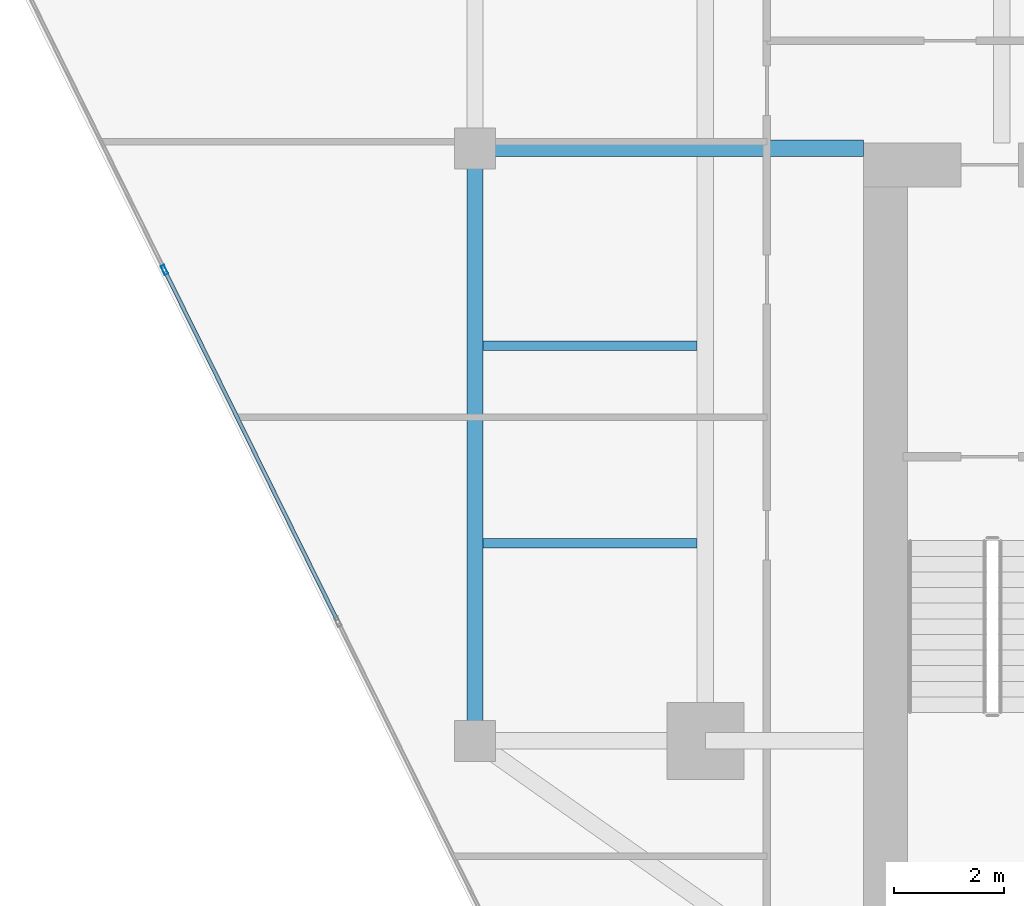
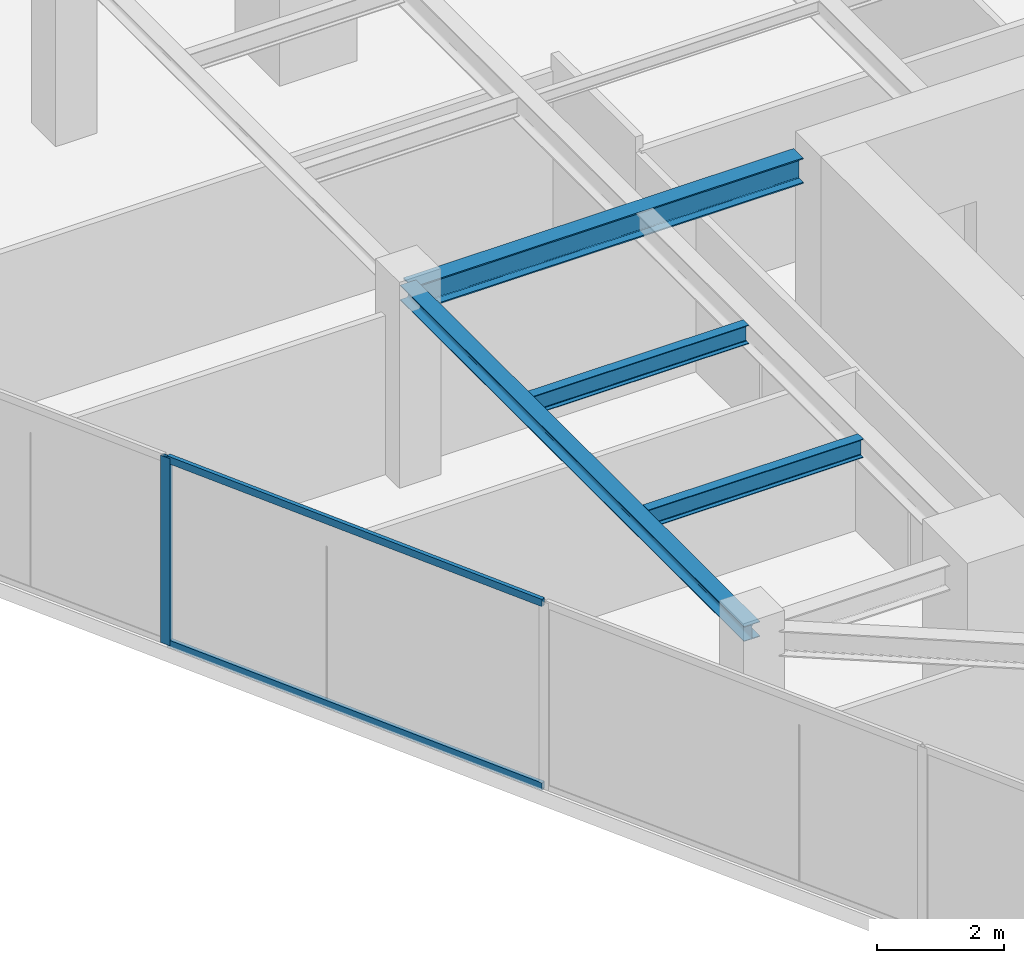
# One storey, part 4 of 22: 4 beams, 3 members, 1 element without a shape of its own.
"""IFC4 building model written with IfcOpenShell, lengths in metres."""

from ifc_helpers import new_model, si_unit, direction, frame, origin, origin_2d, place, context, subcontext, project, spatial, hollow_rectangle, i_section, extrude, source, transform, mapped, material, material_profile, profile_set, type_object, type_shapes, element, aggregate, save


model = new_model("IFC4")

# Units and contexts
model_context = context("Model", 3, precision=1e-05, world=origin(), true_north=direction((0.0, 1.0)))
body_context = subcontext(model_context, "Body", "Model", "MODEL_VIEW")
ifc_project = project(units=[si_unit("LENGTHUNIT", "METRE"), si_unit("AREAUNIT", "SQUARE_METRE"), si_unit("VOLUMEUNIT", "CUBIC_METRE"), si_unit("PLANEANGLEUNIT", "RADIAN"), si_unit("MASSUNIT", "GRAM", prefix="KILO")], contexts=[model_context])

# Site, building, storey
site_placement = place(None, origin())
site = spatial("IfcSite", under=ifc_project, at=site_placement, CompositionType="ELEMENT")
building_placement = place(site_placement, origin())
building = spatial("IfcBuilding", under=site, at=building_placement, Name="Krantzveldt Concourse Tower", CompositionType="ELEMENT")
storey_placement = place(building_placement, frame((0.0, 0.0, 314.800048828125)))
storey = spatial("IfcBuildingStorey", under=building, at=storey_placement, Name="L77", CompositionType="ELEMENT", Elevation=314.800048828125)

# Beams
ifc_material_1 = material(Name="Steel S355JR", Category="steel")
ifc_material_profile_1 = material_profile(ifc_material_1, i_section(OverallWidth=0.300048828125, OverallDepth=0.489990234375, WebThickness=0.011962890625, FlangeThickness=0.02294921875, FilletRadius=0.027099609375, at=origin_2d()), Name="Steel S355JR", Category="steel")
ifc_profile_set_1 = profile_set([ifc_material_profile_1], Name="Steel S355JR - HEA 500")
beam_type_1 = type_object("IfcBeamType", Name="BM-B-HEA500", PredefinedType="BEAM", material=ifc_profile_set_1)
shared_shape_1 = source(origin(), body_context, "Body", "SweptSolid", [
    extrude(i_section(OverallWidth=0.300048828125, OverallDepth=0.489990234375, WebThickness=0.011962890625, FlangeThickness=0.02294921875, FilletRadius=0.027099609375, at=origin_2d()), origin(), (0.0, 0.0, 1.0), 7.080078125),
])
type_shapes(beam_type_1, [shared_shape_1])
beam_1_placement = place(storey_placement, frame((21.0, 26.699951171875, 3.344970703125), z_axis=(1.0, 0.0, 0.0), x_axis=(0.0, 1.0, 0.0)))
element("IfcBeam", 1, at=beam_1_placement, inside=storey, type_object=beam_type_1, Name="L77 Tower Girder BG-CW2", PredefinedType="BEAM", context=body_context, shape_type="MappedRepresentation", body=[
    mapped(shared_shape_1, transform((0.0, 0.0, 0.0), x_axis=(1.0, 0.0, 0.0), y_axis=(0.0, 1.0, 0.0), z_axis=(0.0, 0.0, 1.0), scale=1.0)),
])
ifc_material_profile_2 = material_profile(ifc_material_1, i_section(OverallWidth=0.2900390625, OverallDepth=0.2900390625, WebThickness=0.008544921875, FlangeThickness=0.013916015625, FilletRadius=0.027099609375, at=origin_2d()), Name="Steel S355JR", Category="steel")
ifc_profile_set_2 = profile_set([ifc_material_profile_2], Name="Steel S355JR - HEA 300")
beam_type_2 = type_object("IfcBeamType", Name="BM-SP-HEA300", PredefinedType="SPANDREL", material=ifc_profile_set_2)
shared_shape_2 = source(origin(), body_context, "Body", "SweptSolid", [
    extrude(i_section(OverallWidth=0.2900390625, OverallDepth=0.2900390625, WebThickness=0.008544921875, FlangeThickness=0.013916015625, FilletRadius=0.027099609375, at=origin_2d()), origin(), (0.0, 0.0, 1.0), 10.800048828125),
])
type_shapes(beam_type_2, [shared_shape_2])
beam_2_placement = place(storey_placement, frame((21.0, 15.89990234375, 3.445068359375), z_axis=(0.0, 1.0, 0.0), x_axis=(-1.0, 0.0, 0.0)))
element("IfcBeam", 2, at=beam_2_placement, inside=storey, type_object=beam_type_2, Name="L77 Tower Girder SP-R01", PredefinedType="SPANDREL", context=body_context, shape_type="MappedRepresentation", body=[
    mapped(shared_shape_2, transform((0.0, 0.0, 0.0), x_axis=(1.0, 0.0, 0.0), y_axis=(0.0, 1.0, 0.0), z_axis=(0.0, 0.0, 1.0), scale=1.0)),
])
ifc_material_profile_3 = material_profile(ifc_material_1, i_section(OverallWidth=0.169921875, OverallDepth=0.360107421875, WebThickness=0.008056640625, FlangeThickness=0.0126953125, FilletRadius=0.01806640625, at=origin_2d()), Name="Steel S355JR", Category="steel")
ifc_profile_set_3 = profile_set([ifc_material_profile_3], Name="Steel S355JR - IPE 360")
beam_type_3 = type_object("IfcBeamType", Name="BM-J-IPE360", PredefinedType="JOIST", material=ifc_profile_set_3)
shared_shape_3 = source(origin(), body_context, "Body", "SweptSolid", [
    extrude(i_section(OverallWidth=0.169921875, OverallDepth=0.360107421875, WebThickness=0.008056640625, FlangeThickness=0.0126953125, FilletRadius=0.01806640625, at=origin_2d()), origin(), (0.0, 0.0, 1.0), 3.900146484375),
])
type_shapes(beam_type_3, [shared_shape_3])
for number, where, z_axis, x_axis, name in (
    (3, (21.14990234375, 19.5, 3.409912109375), (1.0, 0.0, 0.0), (0.0, 1.0, 0.0), "L77 Secondary Floor Joist JW-1"),
    (4, (21.14990234375, 23.10009765625, 3.409912109375), (1.0, 0.0, 0.0), (0.0, 1.0, 0.0), "L77 Secondary Floor Joist JW-2"),
):
    element("IfcBeam", number, at=place(storey_placement, frame(where, z_axis=z_axis, x_axis=x_axis)), inside=storey, type_object=beam_type_3, Name=name, PredefinedType="JOIST", context=body_context, shape_type="MappedRepresentation", body=[
        mapped(shared_shape_3, transform((0.0, 0.0, 0.0), x_axis=(1.0, 0.0, 0.0), y_axis=(0.0, 1.0, 0.0), z_axis=(0.0, 0.0, 1.0), scale=1.0)),
    ])

# Curtain wall, members
ifc_material_2 = material(Name="Anodised aluminium 6063-T6", Category="aluminium")
curtain_wall_type = type_object("IfcCurtainWallType", Name="CW4", PredefinedType="USERDEFINED", material=ifc_material_2)
curtain_wall_placement = place(storey_placement, origin())
curtain_wall = element("IfcCurtainWall", 5, at=curtain_wall_placement, inside=storey, type_object=curtain_wall_type, Name="CW-L77-F04", ObjectType="UNITISED CURTAIN WALL", PredefinedType="USERDEFINED")
ifc_material_profile_4 = material_profile(ifc_material_2, hollow_rectangle(XDim=0.070068359375, YDim=0.179931640625, WallThickness=0.0048828125, at=origin_2d()), Name="Anodised aluminium 6063-T6", Category="aluminium")
ifc_profile_set_4 = profile_set([ifc_material_profile_4], Name="Anodised aluminium 6063-T6 - ALU-MULL 180x70x5")
member_type_1 = type_object("IfcMemberType", Name="CW-MUL-180", PredefinedType="MULLION", material=ifc_profile_set_4)
shared_shape_4 = source(origin(), body_context, "Body", "SweptSolid", [
    extrude(hollow_rectangle(XDim=0.070068359375, YDim=0.179931640625, WallThickness=0.0048828125, at=origin_2d()), origin(), (0.0, 0.0, 1.0), 3.58984375),
])
type_shapes(member_type_1, [shared_shape_4])
member_1_placement = place(storey_placement, frame((15.339599609375, 24.483642578125, 0.0), z_axis=(0.0, 0.0, 1.0), x_axis=(0.896872829457, 0.442288511927, 0.0)))
member_1 = element("IfcMember", 6, at=member_1_placement, type_object=member_type_1, Name="CW-Z56 mullion 2", PredefinedType="MULLION", context=body_context, shape_type="MappedRepresentation", body=[
    mapped(shared_shape_4, transform((0.0, 0.0, 0.0), x_axis=(1.0, 0.0, 0.0), y_axis=(0.0, 1.0, 0.0), z_axis=(0.0, 0.0, 1.0), scale=1.0)),
])
ifc_material_profile_5 = material_profile(ifc_material_2, hollow_rectangle(XDim=0.070068359375, YDim=0.139892578125, WallThickness=0.0048828125, at=origin_2d()), Name="Anodised aluminium 6063-T6", Category="aluminium")
ifc_profile_set_5 = profile_set([ifc_material_profile_5], Name="Anodised aluminium 6063-T6 - ALU-TRAN 140x70x5")
member_type_2 = type_object("IfcMemberType", Name="CW-TRN-150", PredefinedType="USERDEFINED", material=ifc_profile_set_5)
shared_shape_5 = source(origin(), body_context, "Body", "SweptSolid", [
    extrude(hollow_rectangle(XDim=0.070068359375, YDim=0.139892578125, WallThickness=0.0048828125, at=origin_2d()), origin(), (0.0, 0.0, 1.0), 7.080078125),
])
type_shapes(member_type_2, [shared_shape_5])
member_2_placement = place(storey_placement, frame((15.355224609375, 24.4521484375, 0.034912109375), z_axis=(0.442282604958, -0.896875742426, 0.0), x_axis=(0.896875742426, 0.442282604958, 0.0)))
member_2 = element("IfcMember", 7, at=member_2_placement, type_object=member_type_2, Name="CW-Z56 transom 2.1", ObjectType="TRANSOM", PredefinedType="USERDEFINED", context=body_context, shape_type="MappedRepresentation", body=[
    mapped(shared_shape_5, transform((0.0, 0.0, 0.0), x_axis=(1.0, 0.0, 0.0), y_axis=(0.0, 1.0, 0.0), z_axis=(0.0, 0.0, 1.0), scale=1.0)),
])
member_3_placement = place(storey_placement, frame((15.355224609375, 24.4521484375, 3.554931640625), z_axis=(0.442282604958, -0.896875742426, 0.0), x_axis=(0.896875742426, 0.442282604958, 0.0)))
member_3 = element("IfcMember", 8, at=member_3_placement, type_object=member_type_2, Name="CW-Z56 transom 2.2", ObjectType="TRANSOM", PredefinedType="USERDEFINED", context=body_context, shape_type="MappedRepresentation", body=[
    mapped(shared_shape_5, transform((0.0, 0.0, 0.0), x_axis=(1.0, 0.0, 0.0), y_axis=(0.0, 1.0, 0.0), z_axis=(0.0, 0.0, 1.0), scale=1.0)),
])
aggregate(curtain_wall, [member_1, member_2, member_3])

save(model, "model.ifc")
